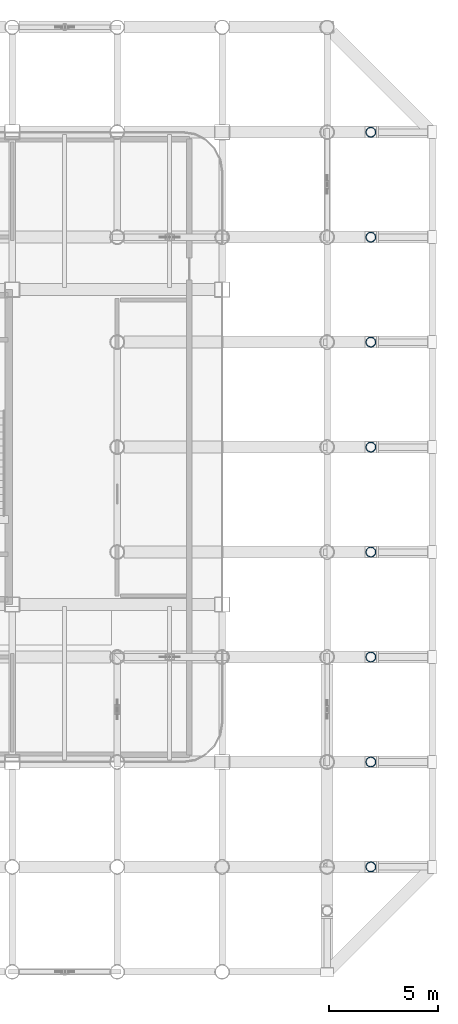
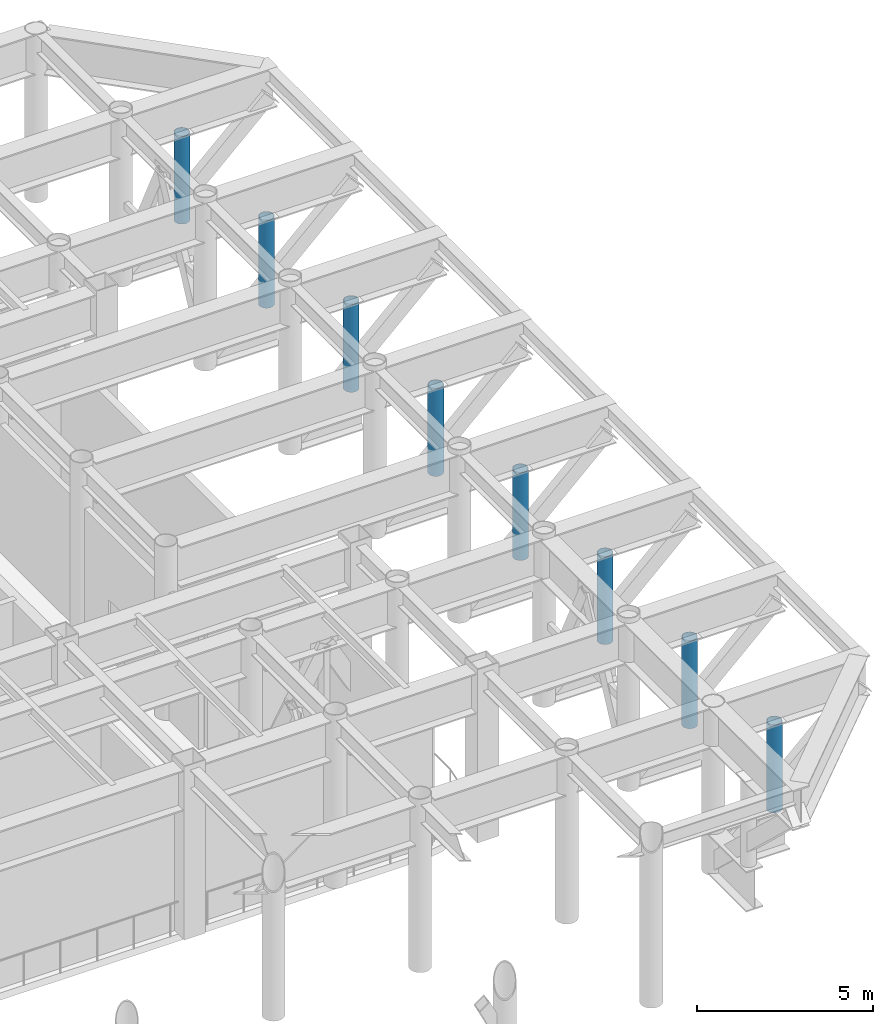
# One storey, part 4 of 20: 8 columns.
"""IFC4 building model written with IfcOpenShell, lengths in metres."""

from ifc_helpers import new_model, si_unit, direction, frame, origin, origin_2d, place, context, subcontext, project, spatial, hollow_circle, extrude, material, material_profile, profile_set, type_object, element, save


model = new_model("IFC4")

# Units and contexts
model_context = context("Model", 3, precision=1e-05, world=origin(), true_north=direction((0.0, 1.0)))
body_context = subcontext(model_context, "Body", "Model", "MODEL_VIEW")
ifc_project = project(units=[si_unit("LENGTHUNIT", "METRE"), si_unit("AREAUNIT", "SQUARE_METRE"), si_unit("VOLUMEUNIT", "CUBIC_METRE"), si_unit("PLANEANGLEUNIT", "RADIAN"), si_unit("MASSUNIT", "GRAM", prefix="KILO")], contexts=[model_context])

# Site, building, storey
site_placement = place(None, origin())
site = spatial("IfcSite", under=ifc_project, at=site_placement, CompositionType="ELEMENT")
building_placement = place(site_placement, origin())
building = spatial("IfcBuilding", under=site, at=building_placement, Name="Kallvorn Hotel Tower", CompositionType="ELEMENT")
storey_placement = place(building_placement, frame((0.0, 0.0, 185.5)))
storey = spatial("IfcBuildingStorey", under=building, at=storey_placement, Name="L46", CompositionType="ELEMENT", Elevation=185.5)

# Columns
ifc_material = material(Name="Structural steel S355J2H", Category="steel")
ifc_material_profile = material_profile(ifc_material, hollow_circle(Radius=0.228515625, WallThickness=0.02001953125, at=origin_2d()), Name="CHS 457x20")
ifc_profile_set = profile_set([ifc_material_profile], Name="Structural steel S355J2H")
column_type = type_object("IfcColumnType", Name="COL_CHS_457", PredefinedType="COLUMN", material=ifc_profile_set)
for number, where, z_axis, x_axis, name in (
    (1, (30.800048828125, -19.199951171875, 1.39990234375), (0.0, 0.0, 1.0), (1.0, 0.0, 0.0), "L47 Cantilever Haunch Prop Column 02"),
    (2, (30.800048828125, -14.39990234375, 1.39990234375), (0.0, 0.0, 1.0), (1.0, 0.0, 0.0), "L47 Cantilever Haunch Prop Column 03"),
    (3, (30.800048828125, -9.60009765625, 1.39990234375), (0.0, 0.0, 1.0), (1.0, 0.0, 0.0), "L47 Cantilever Haunch Prop Column 04"),
    (4, (30.800048828125, -4.800048828125, 1.39990234375), (0.0, 0.0, 1.0), (1.0, 0.0, 0.0), "L47 Cantilever Haunch Prop Column 05"),
    (5, (30.800048828125, 0.0, 1.39990234375), (0.0, 0.0, 1.0), (1.0, 0.0, 0.0), "L47 Cantilever Haunch Prop Column 06"),
    (6, (30.800048828125, 4.800048828125, 1.39990234375), (0.0, 0.0, 1.0), (1.0, 0.0, 0.0), "L47 Cantilever Haunch Prop Column 07"),
    (7, (30.800048828125, 9.60009765625, 1.39990234375), (0.0, 0.0, 1.0), (1.0, 0.0, 0.0), "L47 Cantilever Haunch Prop Column 08"),
    (8, (30.800048828125, 14.39990234375, 1.39990234375), (0.0, 0.0, 1.0), (1.0, 0.0, 0.0), "L47 Cantilever Haunch Prop Column 09"),
):
    element("IfcColumn", number, at=place(storey_placement, frame(where, z_axis=z_axis, x_axis=x_axis)), inside=storey, type_object=column_type, Name=name, PredefinedType="COLUMN", context=body_context, shape_type="SweptSolid", body=[
        extrude(hollow_circle(Radius=0.228515625, WallThickness=0.02001953125, at=origin_2d()), origin(), (0.0, 0.0, 1.0), 3.0400390625),
    ])

save(model, "model.ifc")
